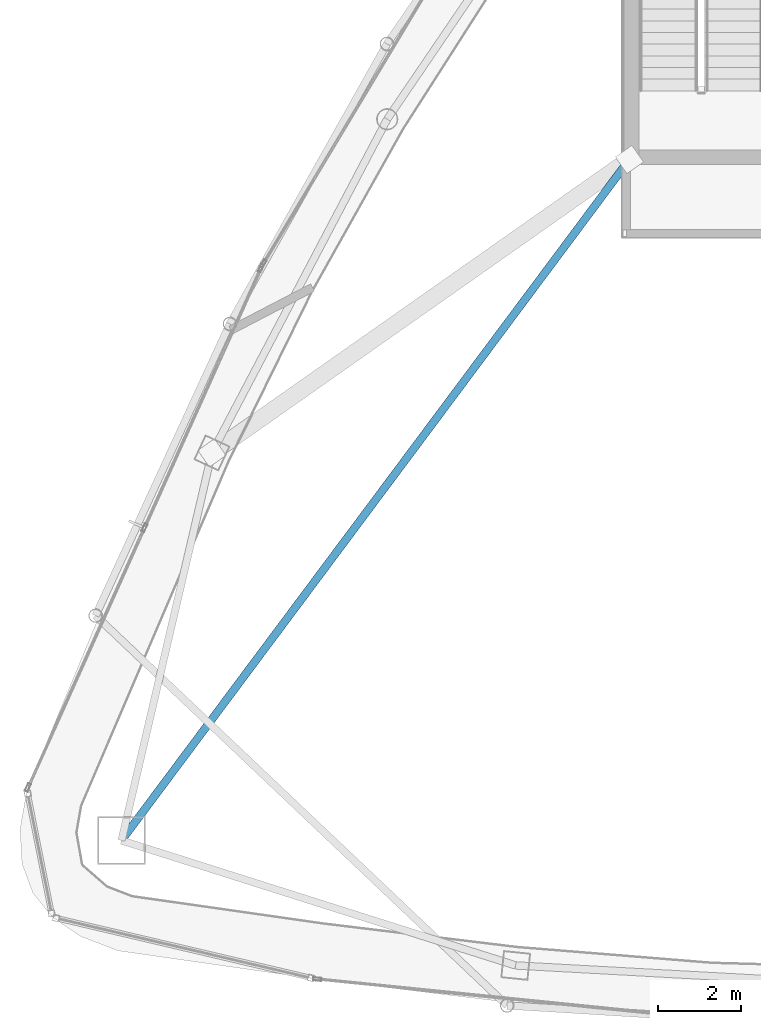
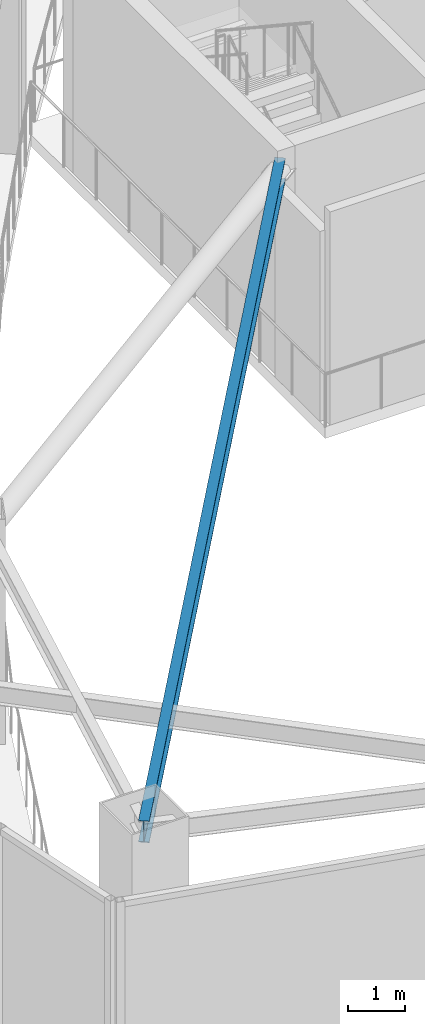
# One storey, part 5 of 20: 1 beam.
"""IFC4 building model written with IfcOpenShell, lengths in metres."""

from ifc_helpers import new_model, si_unit, direction, frame, origin, origin_2d, place, context, subcontext, project, spatial, i_section, extrude, material, material_profile, profile_set, type_object, element, save


model = new_model("IFC4")

# Units and contexts
model_context = context("Model", 3, precision=1e-05, world=origin(), true_north=direction((0.0, 1.0)))
body_context = subcontext(model_context, "Body", "Model", "MODEL_VIEW")
ifc_project = project(units=[si_unit("LENGTHUNIT", "METRE"), si_unit("AREAUNIT", "SQUARE_METRE"), si_unit("VOLUMEUNIT", "CUBIC_METRE"), si_unit("PLANEANGLEUNIT", "RADIAN"), si_unit("MASSUNIT", "GRAM", prefix="KILO")], contexts=[model_context])

# Site, building, storey
site_placement = place(None, origin())
site = spatial("IfcSite", under=ifc_project, at=site_placement, CompositionType="ELEMENT")
building_placement = place(site_placement, origin())
building = spatial("IfcBuilding", under=site, at=building_placement, Name="Orvanel Arch Residences", CompositionType="ELEMENT")
storey_placement = place(building_placement, frame((0.0, 0.0, 305.300048828125)))
storey = spatial("IfcBuildingStorey", under=building, at=storey_placement, Name="L85", CompositionType="ELEMENT", Elevation=305.300048828125)

# Beam
ifc_material = material(Name="Structural steel AS/NZS 3679.1 Grade 300 (300 MPa)", Category="steel")
ifc_material_profile = material_profile(ifc_material, i_section(OverallWidth=0.19091796875, OverallDepth=0.4599609375, WebThickness=0.010009765625, FlangeThickness=0.01611328125, at=origin_2d()), Name="460UB82.1")
ifc_profile_set = profile_set([ifc_material_profile], Name="Structural steel AS/NZS 3679.1 Grade 300 (300 MPa)")
beam_type = type_object("IfcBeamType", Name="BG-460UB", PredefinedType="BEAM", material=ifc_profile_set)
beam_placement = place(storey_placement, frame((26.375, 26.675048828125, 4.320068359375), z_axis=(-0.597893733742, -0.801575375839, 0.0), x_axis=(0.801575375839, -0.597893733742, 0.0)))
element("IfcBeam", 1, at=beam_placement, inside=storey, type_object=beam_type, Name="L85 South-West Radial Girder", PredefinedType="BEAM", context=body_context, shape_type="SweptSolid", body=[
    extrude(i_section(OverallWidth=0.19091796875, OverallDepth=0.4599609375, WebThickness=0.010009765625, FlangeThickness=0.01611328125, at=origin_2d()), origin(), (0.0, 0.0, 1.0), 20.36474609375),
])

save(model, "model.ifc")
